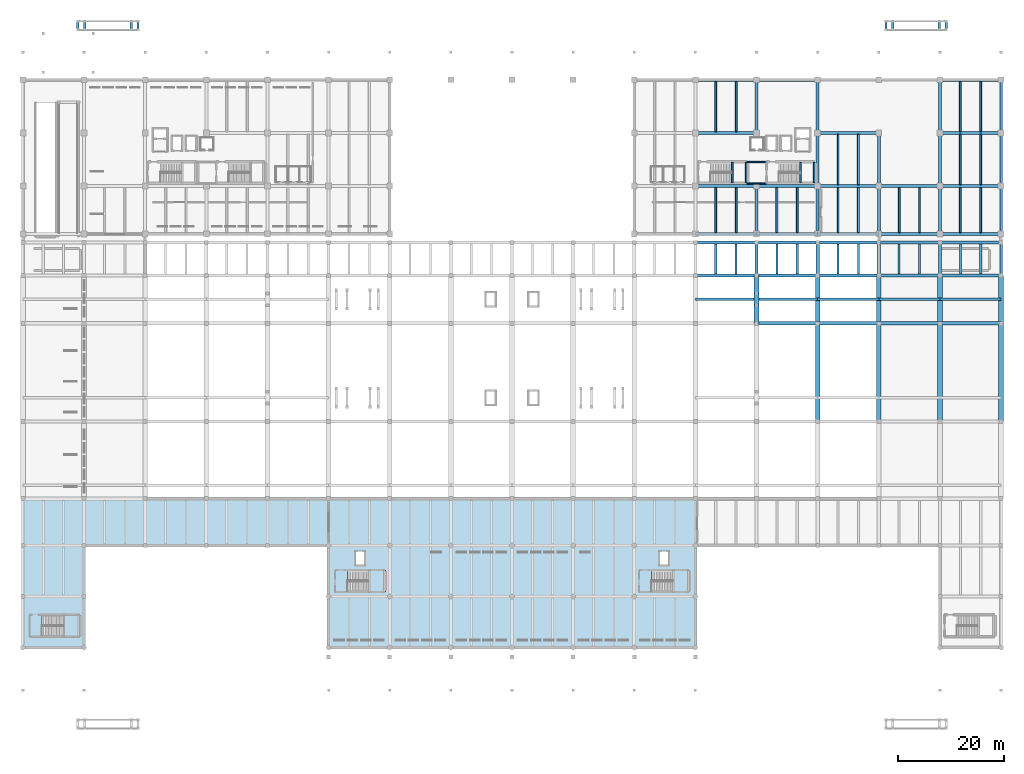
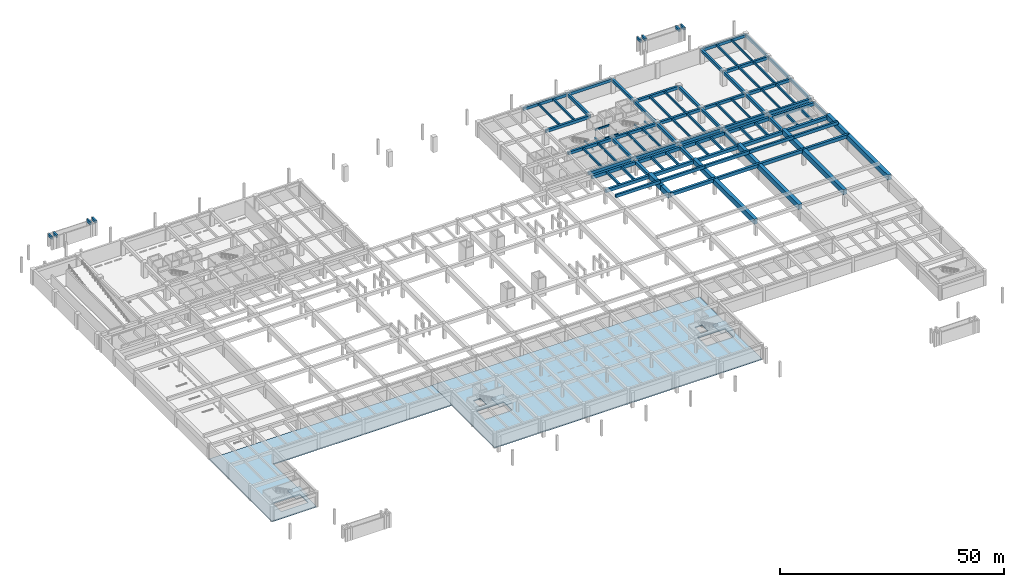
# One storey, part 7 of 20: 106 beams, 5 slabs, 3 elements without a shape of their own.
"""IFC4 building model written with IfcOpenShell, lengths in metres."""

from ifc_helpers import new_model, si_unit, direction, frame, origin, origin_2d, place, context, subcontext, project, spatial, polyline, rectangle, outline, extrude, material, layer, layer_set, material_profile, profile_set, type_object, element, aggregate, save


model = new_model("IFC4")

# Units and contexts
model_context = context("Model", 3, precision=1e-05, world=origin(), true_north=direction((0.0, 1.0)))
body_context = subcontext(model_context, "Body", "Model", "MODEL_VIEW")
ifc_project = project(units=[si_unit("LENGTHUNIT", "METRE"), si_unit("AREAUNIT", "SQUARE_METRE"), si_unit("VOLUMEUNIT", "CUBIC_METRE"), si_unit("PLANEANGLEUNIT", "RADIAN"), si_unit("MASSUNIT", "GRAM", prefix="KILO")], contexts=[model_context])

# Site, building, storey
site_placement = place(None, origin())
site = spatial("IfcSite", under=ifc_project, at=site_placement, CompositionType="ELEMENT")
building_placement = place(site_placement, origin())
building = spatial("IfcBuilding", under=site, at=building_placement, Name="Ologun Quay Terminus", CompositionType="ELEMENT")
storey_placement = place(building_placement, frame((0.0, 0.0, -4.199951171875)))
storey = spatial("IfcBuildingStorey", under=building, at=storey_placement, Name="B01", CompositionType="ELEMENT", Elevation=-4.199951171875)

# Beams
ifc_material_1 = material(Name="Concrete C40/50", Category="concrete")
ifc_material_profile_1 = material_profile(ifc_material_1, rectangle(XDim=0.300048828125, YDim=0.449951171875, at=origin_2d()), Name="RC 300x450")
ifc_profile_set_1 = profile_set([ifc_material_profile_1], Name="Concrete C40/50")
beam_type_1 = type_object("IfcBeamType", Name="Core Coupling Lintel Beam 300x450", PredefinedType="LINTEL", material=ifc_profile_set_1)
for number, where, z_axis, x_axis, name in (
    (1, (136.14990234375, 95.324951171875, 3.724853515625), (1.0, 0.0, 0.0), (0.0, 1.0, 0.0), "LN1 Beam 13/H B01"),
    (2, (136.14990234375, 99.375, 3.724853515625), (1.0, 0.0, 0.0), (0.0, 1.0, 0.0), "LN1 Beam 13/H B01"),
):
    element("IfcBeam", number, at=place(storey_placement, frame(where, z_axis=z_axis, x_axis=x_axis)), inside=storey, type_object=beam_type_1, Name=name, PredefinedType="LINTEL", context=body_context, shape_type="SweptSolid", body=[
        extrude(rectangle(XDim=0.300048828125, YDim=0.449951171875, at=origin_2d()), origin(), (0.0, 0.0, 1.0), 3.7001953125),
    ])
for number, where, z_axis, x_axis, name in (
    (3, (133.43994140625, 95.429931640625, 1.695068359375), (0.0, 1.0, 0.0), (-1.0, 0.0, 0.0), "LN1 Half-Landing Ledger Beam ST-E1-W B01"),
    (4, (136.010009765625, 95.429931640625, 1.695068359375), (0.0, 1.0, 0.0), (-1.0, 0.0, 0.0), "LN1 Half-Landing Ledger Beam ST-E1-E B01"),
    (5, (146.2900390625, 95.429931640625, 1.695068359375), (0.0, 1.0, 0.0), (-1.0, 0.0, 0.0), "LN1 Half-Landing Ledger Beam ST-E2-W B01"),
    (6, (148.81005859375, 95.429931640625, 1.695068359375), (0.0, 1.0, 0.0), (-1.0, 0.0, 0.0), "LN1 Half-Landing Ledger Beam ST-E2-E B01"),
):
    element("IfcBeam", number, at=place(storey_placement, frame(where, z_axis=z_axis, x_axis=x_axis)), inside=storey, type_object=beam_type_1, Name=name, PredefinedType="LINTEL", context=body_context, shape_type="SweptSolid", body=[
        extrude(rectangle(XDim=0.300048828125, YDim=0.449951171875, at=origin_2d()), origin(), (0.0, 0.0, 1.0), 3.840087890625),
    ])
ifc_material_2 = material(Name="Concrete C40/50", Category="concrete")
ifc_material_profile_2 = material_profile(ifc_material_2, rectangle(XDim=0.550048828125, YDim=0.800048828125, at=origin_2d()), Name="RC 550x800")
ifc_profile_set_2 = profile_set([ifc_material_profile_2], Name="Concrete C40/50")
beam_type_2 = type_object("IfcBeamType", Name="Courtyard Wing Primary Girder 550x800", PredefinedType="BEAM", material=ifc_profile_set_2)
for number, where, z_axis, x_axis, name in (
    (7, (126.5, 85.800048828125, 3.47998046875), (1.0, 0.0, 0.0), (0.0, 1.0, 0.0), "B4 Beam 12/G2 B01"),
    (8, (138.0, 85.800048828125, 3.47998046875), (1.0, 0.0, 0.0), (0.0, 1.0, 0.0), "B4 Beam 13/G2 B01"),
    (9, (149.5, 85.800048828125, 3.47998046875), (1.0, 0.0, 0.0), (0.0, 1.0, 0.0), "B4 Beam 14/G2 B01"),
    (10, (161.0, 85.800048828125, 3.47998046875), (1.0, 0.0, 0.0), (0.0, 1.0, 0.0), "B4 Beam 15/G2 B01"),
    (11, (172.5, 85.800048828125, 3.47998046875), (1.0, 0.0, 0.0), (0.0, 1.0, 0.0), "B4 Beam 16/G2 B01"),
    (12, (126.5, 94.800048828125, 3.47998046875), (1.0, 0.0, 0.0), (0.0, 1.0, 0.0), "B4 Beam 12/H B01"),
    (13, (138.0, 94.800048828125, 3.47998046875), (1.0, 0.0, 0.0), (0.0, 1.0, 0.0), "B4 Beam 13/H B01"),
    (14, (149.5, 94.800048828125, 3.47998046875), (1.0, 0.0, 0.0), (0.0, 1.0, 0.0), "B4 Beam 14/H B01"),
    (15, (161.0, 94.800048828125, 3.47998046875), (1.0, 0.0, 0.0), (0.0, 1.0, 0.0), "B4 Beam 15/H B01"),
    (16, (172.5, 94.800048828125, 3.47998046875), (1.0, 0.0, 0.0), (0.0, 1.0, 0.0), "B4 Beam 16/H B01"),
    (17, (126.5, 104.800048828125, 3.47998046875), (1.0, 0.0, 0.0), (0.0, 1.0, 0.0), "B4 Beam 12/J B01"),
    (18, (149.5, 104.800048828125, 3.47998046875), (1.0, 0.0, 0.0), (0.0, 1.0, 0.0), "B4 Beam 14/J B01"),
    (19, (172.5, 104.800048828125, 3.47998046875), (1.0, 0.0, 0.0), (0.0, 1.0, 0.0), "B4 Beam 16/J B01"),
    (20, (126.5, 114.800048828125, 3.47998046875), (1.0, 0.0, 0.0), (0.0, 1.0, 0.0), "B4 Beam 12/K B01"),
    (21, (138.0, 114.800048828125, 3.47998046875), (1.0, 0.0, 0.0), (0.0, 1.0, 0.0), "B4 Beam 13/K B01"),
    (22, (172.5, 114.800048828125, 3.47998046875), (1.0, 0.0, 0.0), (0.0, 1.0, 0.0), "B4 Beam 16/K B01"),
):
    element("IfcBeam", number, at=place(storey_placement, frame(where, z_axis=z_axis, x_axis=x_axis)), inside=storey, type_object=beam_type_2, Name=name, PredefinedType="BEAM", context=body_context, shape_type="SweptSolid", body=[
        extrude(rectangle(XDim=0.550048828125, YDim=0.800048828125, at=origin_2d()), origin(), (0.0, 0.0, 1.0), 11.5),
    ])
beam_1_placement = place(storey_placement, frame((138.0, 85.800048828125, 3.47998046875), z_axis=(0.0, 1.0, 0.0), x_axis=(-1.0, 0.0, 0.0)))
element("IfcBeam", 23, at=beam_1_placement, inside=storey, type_object=beam_type_2, Name="B4 Beam 13/G2 B01", PredefinedType="BEAM", context=body_context, shape_type="SweptSolid", body=[
    extrude(rectangle(XDim=0.550048828125, YDim=0.800048828125, at=origin_2d()), origin(), (0.0, 0.0, 1.0), 9.0),
])
beam_2_placement = place(storey_placement, frame((138.0, 104.800048828125, 3.47998046875), z_axis=(0.0, 1.0, 0.0), x_axis=(-1.0, 0.0, 0.0)))
element("IfcBeam", 24, at=beam_2_placement, inside=storey, type_object=beam_type_2, Name="B4 Beam 13/J B01", PredefinedType="BEAM", context=body_context, shape_type="SweptSolid", body=[
    extrude(rectangle(XDim=0.550048828125, YDim=0.800048828125, at=origin_2d()), origin(), (0.0, 0.0, 1.0), 10.0),
])
beam_3_placement = place(storey_placement, frame((149.5, 85.800048828125, 3.47998046875), z_axis=(0.0, 1.0, 0.0), x_axis=(-1.0, 0.0, 0.0)))
element("IfcBeam", 25, at=beam_3_placement, inside=storey, type_object=beam_type_2, Name="B4 Beam 14/G2 B01", PredefinedType="BEAM", context=body_context, shape_type="SweptSolid", body=[
    extrude(rectangle(XDim=0.550048828125, YDim=0.800048828125, at=origin_2d()), origin(), (0.0, 0.0, 1.0), 9.0),
])
for number, where, z_axis, x_axis, name in (
    (26, (149.5, 94.800048828125, 3.47998046875), (0.0, 1.0, 0.0), (-1.0, 0.0, 0.0), "B4 Beam 14/H B01"),
    (27, (149.5, 104.800048828125, 3.47998046875), (0.0, 1.0, 0.0), (-1.0, 0.0, 0.0), "B4 Beam 14/J B01"),
):
    element("IfcBeam", number, at=place(storey_placement, frame(where, z_axis=z_axis, x_axis=x_axis)), inside=storey, type_object=beam_type_2, Name=name, PredefinedType="BEAM", context=body_context, shape_type="SweptSolid", body=[
        extrude(rectangle(XDim=0.550048828125, YDim=0.800048828125, at=origin_2d()), origin(), (0.0, 0.0, 1.0), 10.0),
    ])
beam_4_placement = place(storey_placement, frame((161.0, 85.800048828125, 3.47998046875), z_axis=(0.0, 1.0, 0.0), x_axis=(-1.0, 0.0, 0.0)))
element("IfcBeam", 28, at=beam_4_placement, inside=storey, type_object=beam_type_2, Name="B4 Beam 15/G2 B01", PredefinedType="BEAM", context=body_context, shape_type="SweptSolid", body=[
    extrude(rectangle(XDim=0.550048828125, YDim=0.800048828125, at=origin_2d()), origin(), (0.0, 0.0, 1.0), 9.0),
])
beam_5_placement = place(storey_placement, frame((161.0, 94.800048828125, 3.47998046875), z_axis=(0.0, 1.0, 0.0), x_axis=(-1.0, 0.0, 0.0)))
element("IfcBeam", 29, at=beam_5_placement, inside=storey, type_object=beam_type_2, Name="B4 Beam 15/H B01", PredefinedType="BEAM", context=body_context, shape_type="SweptSolid", body=[
    extrude(rectangle(XDim=0.550048828125, YDim=0.800048828125, at=origin_2d()), origin(), (0.0, 0.0, 1.0), 10.0),
])
beam_6_placement = place(storey_placement, frame((172.5, 85.800048828125, 3.47998046875), z_axis=(0.0, 1.0, 0.0), x_axis=(-1.0, 0.0, 0.0)))
element("IfcBeam", 30, at=beam_6_placement, inside=storey, type_object=beam_type_2, Name="B4 Beam 16/G2 B01", PredefinedType="BEAM", context=body_context, shape_type="SweptSolid", body=[
    extrude(rectangle(XDim=0.550048828125, YDim=0.800048828125, at=origin_2d()), origin(), (0.0, 0.0, 1.0), 9.0),
])
for number, where, z_axis, x_axis, name in (
    (31, (172.5, 94.800048828125, 3.47998046875), (0.0, 1.0, 0.0), (-1.0, 0.0, 0.0), "B4 Beam 16/H B01"),
    (32, (172.5, 104.800048828125, 3.47998046875), (0.0, 1.0, 0.0), (-1.0, 0.0, 0.0), "B4 Beam 16/J B01"),
):
    element("IfcBeam", number, at=place(storey_placement, frame(where, z_axis=z_axis, x_axis=x_axis)), inside=storey, type_object=beam_type_2, Name=name, PredefinedType="BEAM", context=body_context, shape_type="SweptSolid", body=[
        extrude(rectangle(XDim=0.550048828125, YDim=0.800048828125, at=origin_2d()), origin(), (0.0, 0.0, 1.0), 10.0),
    ])
ifc_material_3 = material(Name="Concrete C40/50", Category="concrete")
ifc_material_profile_3 = material_profile(ifc_material_3, rectangle(XDim=0.35009765625, YDim=0.550048828125, at=origin_2d()), Name="RC 350x550")
ifc_profile_set_3 = profile_set([ifc_material_profile_3], Name="Concrete C40/50")
beam_type_3 = type_object("IfcBeamType", Name="Courtyard Wing Secondary Joist 350x550", PredefinedType="JOIST", material=ifc_profile_set_3)
for number, where, z_axis, x_axis, name in (
    (33, (130.333251953125, 86.074951171875, 3.60498046875), (0.0, 1.0, 0.0), (-1.0, 0.0, 0.0), "J2 Beam 12/G2 B01"),
    (34, (134.166748046875, 86.074951171875, 3.60498046875), (0.0, 1.0, 0.0), (-1.0, 0.0, 0.0), "J2 Beam 12/G2 B01"),
):
    element("IfcBeam", number, at=place(storey_placement, frame(where, z_axis=z_axis, x_axis=x_axis)), inside=storey, type_object=beam_type_3, Name=name, PredefinedType="JOIST", context=body_context, shape_type="SweptSolid", body=[
        extrude(rectangle(XDim=0.35009765625, YDim=0.550048828125, at=origin_2d()), origin(), (0.0, 0.0, 1.0), 8.449951171875),
    ])
for number, where, z_axis, x_axis, name in (
    (35, (130.333251953125, 105.074951171875, 3.60498046875), (0.0, 1.0, 0.0), (-1.0, 0.0, 0.0), "J2 Beam 12/J B01"),
    (36, (134.166748046875, 105.074951171875, 3.60498046875), (0.0, 1.0, 0.0), (-1.0, 0.0, 0.0), "J2 Beam 12/J B01"),
):
    element("IfcBeam", number, at=place(storey_placement, frame(where, z_axis=z_axis, x_axis=x_axis)), inside=storey, type_object=beam_type_3, Name=name, PredefinedType="JOIST", context=body_context, shape_type="SweptSolid", body=[
        extrude(rectangle(XDim=0.35009765625, YDim=0.550048828125, at=origin_2d()), origin(), (0.0, 0.0, 1.0), 9.449951171875),
    ])
for number, where, z_axis, x_axis, name in (
    (37, (141.833251953125, 86.074951171875, 3.60498046875), (0.0, 1.0, 0.0), (-1.0, 0.0, 0.0), "J2 Beam 13/G2 B01"),
    (38, (145.666748046875, 86.074951171875, 3.60498046875), (0.0, 1.0, 0.0), (-1.0, 0.0, 0.0), "J2 Beam 13/G2 B01"),
    (39, (153.333251953125, 86.074951171875, 3.60498046875), (0.0, 1.0, 0.0), (-1.0, 0.0, 0.0), "J2 Beam 14/G2 B01"),
    (40, (157.166748046875, 86.074951171875, 3.60498046875), (0.0, 1.0, 0.0), (-1.0, 0.0, 0.0), "J2 Beam 14/G2 B01"),
):
    element("IfcBeam", number, at=place(storey_placement, frame(where, z_axis=z_axis, x_axis=x_axis)), inside=storey, type_object=beam_type_3, Name=name, PredefinedType="JOIST", context=body_context, shape_type="SweptSolid", body=[
        extrude(rectangle(XDim=0.35009765625, YDim=0.550048828125, at=origin_2d()), origin(), (0.0, 0.0, 1.0), 8.449951171875),
    ])
for number, where, z_axis, x_axis, name in (
    (41, (153.333251953125, 95.074951171875, 3.60498046875), (0.0, 1.0, 0.0), (-1.0, 0.0, 0.0), "J2 Beam 14/H B01"),
    (42, (157.166748046875, 95.074951171875, 3.60498046875), (0.0, 1.0, 0.0), (-1.0, 0.0, 0.0), "J2 Beam 14/H B01"),
):
    element("IfcBeam", number, at=place(storey_placement, frame(where, z_axis=z_axis, x_axis=x_axis)), inside=storey, type_object=beam_type_3, Name=name, PredefinedType="JOIST", context=body_context, shape_type="SweptSolid", body=[
        extrude(rectangle(XDim=0.35009765625, YDim=0.550048828125, at=origin_2d()), origin(), (0.0, 0.0, 1.0), 9.449951171875),
    ])
for number, where, z_axis, x_axis, name in (
    (43, (164.833251953125, 86.074951171875, 3.60498046875), (0.0, 1.0, 0.0), (-1.0, 0.0, 0.0), "J2 Beam 15/G2 B01"),
    (44, (168.666748046875, 86.074951171875, 3.60498046875), (0.0, 1.0, 0.0), (-1.0, 0.0, 0.0), "J2 Beam 15/G2 B01"),
    (45, (176.333251953125, 86.074951171875, 3.60498046875), (0.0, 1.0, 0.0), (-1.0, 0.0, 0.0), "J2 Beam 16/G2 B01"),
    (46, (180.166748046875, 86.074951171875, 3.60498046875), (0.0, 1.0, 0.0), (-1.0, 0.0, 0.0), "J2 Beam 16/G2 B01"),
):
    element("IfcBeam", number, at=place(storey_placement, frame(where, z_axis=z_axis, x_axis=x_axis)), inside=storey, type_object=beam_type_3, Name=name, PredefinedType="JOIST", context=body_context, shape_type="SweptSolid", body=[
        extrude(rectangle(XDim=0.35009765625, YDim=0.550048828125, at=origin_2d()), origin(), (0.0, 0.0, 1.0), 8.449951171875),
    ])
for number, where, z_axis, x_axis, name in (
    (47, (176.333251953125, 95.074951171875, 3.60498046875), (0.0, 1.0, 0.0), (-1.0, 0.0, 0.0), "J2 Beam 16/H B01"),
    (48, (180.166748046875, 95.074951171875, 3.60498046875), (0.0, 1.0, 0.0), (-1.0, 0.0, 0.0), "J2 Beam 16/H B01"),
    (49, (176.333251953125, 105.074951171875, 3.60498046875), (0.0, 1.0, 0.0), (-1.0, 0.0, 0.0), "J2 Beam 16/J B01"),
    (50, (180.166748046875, 105.074951171875, 3.60498046875), (0.0, 1.0, 0.0), (-1.0, 0.0, 0.0), "J2 Beam 16/J B01"),
):
    element("IfcBeam", number, at=place(storey_placement, frame(where, z_axis=z_axis, x_axis=x_axis)), inside=storey, type_object=beam_type_3, Name=name, PredefinedType="JOIST", context=body_context, shape_type="SweptSolid", body=[
        extrude(rectangle(XDim=0.35009765625, YDim=0.550048828125, at=origin_2d()), origin(), (0.0, 0.0, 1.0), 9.449951171875),
    ])
ifc_material_4 = material(Name="Concrete C45/55", Category="concrete")
ifc_material_profile_4 = material_profile(ifc_material_4, rectangle(XDim=0.89990234375, YDim=1.39990234375, at=origin_2d()), Name="RC 900x1400")
ifc_profile_set_4 = profile_set([ifc_material_profile_4], Name="Concrete C45/55")
beam_type_4 = type_object("IfcBeamType", Name="Heavy Track Deck Girder 900x1400", PredefinedType="BEAM", material=ifc_profile_set_4)
beam_7_placement = place(storey_placement, frame((138.0, 69.0, 3.64990234375), z_axis=(0.0, 1.0, 0.0), x_axis=(-1.0, 0.0, 0.0)))
element("IfcBeam", 51, at=beam_7_placement, inside=storey, type_object=beam_type_4, Name="B1 Beam 13/E B01", PredefinedType="BEAM", context=body_context, shape_type="SweptSolid", body=[
    extrude(rectangle(XDim=0.89990234375, YDim=1.39990234375, at=origin_2d()), origin(), (0.0, 0.0, 1.0), 3.39990234375),
])
beam_8_placement = place(storey_placement, frame((138.0, 72.39990234375, 3.64990234375), z_axis=(0.0, 1.0, 0.0), x_axis=(-1.0, 0.0, 0.0)))
element("IfcBeam", 52, at=beam_8_placement, inside=storey, type_object=beam_type_4, Name="B1 Beam 13/E B01", PredefinedType="BEAM", context=body_context, shape_type="SweptSolid", body=[
    extrude(rectangle(XDim=0.89990234375, YDim=1.39990234375, at=origin_2d()), origin(), (0.0, 0.0, 1.0), 2.2001953125),
])
beam_9_placement = place(storey_placement, frame((138.0, 74.60009765625, 3.64990234375), z_axis=(0.0, 1.0, 0.0), x_axis=(-1.0, 0.0, 0.0)))
element("IfcBeam", 53, at=beam_9_placement, inside=storey, type_object=beam_type_4, Name="B1 Beam 13/E B01", PredefinedType="BEAM", context=body_context, shape_type="SweptSolid", body=[
    extrude(rectangle(XDim=0.89990234375, YDim=1.39990234375, at=origin_2d()), origin(), (0.0, 0.0, 1.0), 3.39990234375),
])
beam_10_placement = place(storey_placement, frame((149.5, 50.5, 3.64990234375), z_axis=(0.0, 1.0, 0.0), x_axis=(-1.0, 0.0, 0.0)))
element("IfcBeam", 54, at=beam_10_placement, inside=storey, type_object=beam_type_4, Name="B1 Beam 14/E B01", PredefinedType="BEAM", context=body_context, shape_type="SweptSolid", body=[
    extrude(rectangle(XDim=0.89990234375, YDim=1.39990234375, at=origin_2d()), origin(), (0.0, 0.0, 1.0), 18.5),
])
beam_11_placement = place(storey_placement, frame((149.5, 69.0, 3.64990234375), z_axis=(0.0, 1.0, 0.0), x_axis=(-1.0, 0.0, 0.0)))
element("IfcBeam", 55, at=beam_11_placement, inside=storey, type_object=beam_type_4, Name="B1 Beam 14/E B01", PredefinedType="BEAM", context=body_context, shape_type="SweptSolid", body=[
    extrude(rectangle(XDim=0.89990234375, YDim=1.39990234375, at=origin_2d()), origin(), (0.0, 0.0, 1.0), 9.0),
])
beam_12_placement = place(storey_placement, frame((161.0, 50.5, 3.64990234375), z_axis=(0.0, 1.0, 0.0), x_axis=(-1.0, 0.0, 0.0)))
element("IfcBeam", 56, at=beam_12_placement, inside=storey, type_object=beam_type_4, Name="B1 Beam 15/E B01", PredefinedType="BEAM", context=body_context, shape_type="SweptSolid", body=[
    extrude(rectangle(XDim=0.89990234375, YDim=1.39990234375, at=origin_2d()), origin(), (0.0, 0.0, 1.0), 18.5),
])
beam_13_placement = place(storey_placement, frame((161.0, 69.0, 3.64990234375), z_axis=(0.0, 1.0, 0.0), x_axis=(-1.0, 0.0, 0.0)))
element("IfcBeam", 57, at=beam_13_placement, inside=storey, type_object=beam_type_4, Name="B1 Beam 15/E B01", PredefinedType="BEAM", context=body_context, shape_type="SweptSolid", body=[
    extrude(rectangle(XDim=0.89990234375, YDim=1.39990234375, at=origin_2d()), origin(), (0.0, 0.0, 1.0), 9.0),
])
beam_14_placement = place(storey_placement, frame((172.5, 50.5, 3.64990234375), z_axis=(0.0, 1.0, 0.0), x_axis=(-1.0, 0.0, 0.0)))
element("IfcBeam", 58, at=beam_14_placement, inside=storey, type_object=beam_type_4, Name="B1 Beam 16/E B01", PredefinedType="BEAM", context=body_context, shape_type="SweptSolid", body=[
    extrude(rectangle(XDim=0.89990234375, YDim=1.39990234375, at=origin_2d()), origin(), (0.0, 0.0, 1.0), 18.5),
])
beam_15_placement = place(storey_placement, frame((172.5, 69.0, 3.64990234375), z_axis=(0.0, 1.0, 0.0), x_axis=(-1.0, 0.0, 0.0)))
element("IfcBeam", 59, at=beam_15_placement, inside=storey, type_object=beam_type_4, Name="B1 Beam 16/E B01", PredefinedType="BEAM", context=body_context, shape_type="SweptSolid", body=[
    extrude(rectangle(XDim=0.89990234375, YDim=1.39990234375, at=origin_2d()), origin(), (0.0, 0.0, 1.0), 9.0),
])
beam_16_placement = place(storey_placement, frame((184.0, 50.5, 3.64990234375), z_axis=(0.0, 1.0, 0.0), x_axis=(-1.0, 0.0, 0.0)))
element("IfcBeam", 60, at=beam_16_placement, inside=storey, type_object=beam_type_4, Name="B1 Beam 17/E B01", PredefinedType="BEAM", context=body_context, shape_type="SweptSolid", body=[
    extrude(rectangle(XDim=0.89990234375, YDim=1.39990234375, at=origin_2d()), origin(), (0.0, 0.0, 1.0), 18.5),
])
beam_17_placement = place(storey_placement, frame((184.0, 69.0, 3.64990234375), z_axis=(0.0, 1.0, 0.0), x_axis=(-1.0, 0.0, 0.0)))
element("IfcBeam", 61, at=beam_17_placement, inside=storey, type_object=beam_type_4, Name="B1 Beam 17/E B01", PredefinedType="BEAM", context=body_context, shape_type="SweptSolid", body=[
    extrude(rectangle(XDim=0.89990234375, YDim=1.39990234375, at=origin_2d()), origin(), (0.0, 0.0, 1.0), 9.0),
])
ifc_material_5 = material(Name="Concrete C40/50", Category="concrete")
ifc_material_profile_5 = material_profile(ifc_material_5, rectangle(XDim=0.449951171875, YDim=0.699951171875, at=origin_2d()), Name="RC 450x700")
ifc_profile_set_5 = profile_set([ifc_material_profile_5], Name="Concrete C40/50")
beam_type_5 = type_object("IfcBeamType", Name="Perimeter Spandrel Beam 450x700", PredefinedType="SPANDREL", material=ifc_profile_set_5)
for number, where, z_axis, x_axis, name in (
    (62, (10.35009765625, 124.199951171875, 3.1298828125), (0.0, 1.0, 0.0), (-1.0, 0.0, 0.0), "SP1 Ramp Header Beam 1W"),
    (63, (11.64990234375, 124.199951171875, 3.1298828125), (0.0, 1.0, 0.0), (-1.0, 0.0, 0.0), "SP1 Ramp Header Beam 1E"),
    (64, (20.35009765625, 124.199951171875, 3.6298828125), (0.0, 1.0, 0.0), (-1.0, 0.0, 0.0), "SP1 Ramp Header Beam 2W"),
    (65, (21.64990234375, 124.199951171875, 3.6298828125), (0.0, 1.0, 0.0), (-1.0, 0.0, 0.0), "SP1 Ramp Header Beam 2E"),
    (66, (162.35009765625, 124.199951171875, 3.6298828125), (0.0, 1.0, 0.0), (-1.0, 0.0, 0.0), "SP1 Ramp Header Beam 3W"),
    (67, (163.64990234375, 124.199951171875, 3.6298828125), (0.0, 1.0, 0.0), (-1.0, 0.0, 0.0), "SP1 Ramp Header Beam 3E"),
    (68, (172.35009765625, 124.199951171875, 3.1298828125), (0.0, 1.0, 0.0), (-1.0, 0.0, 0.0), "SP1 Ramp Header Beam 4W"),
    (69, (173.64990234375, 124.199951171875, 3.1298828125), (0.0, 1.0, 0.0), (-1.0, 0.0, 0.0), "SP1 Ramp Header Beam 4E"),
):
    element("IfcBeam", number, at=place(storey_placement, frame(where, z_axis=z_axis, x_axis=x_axis)), inside=storey, type_object=beam_type_5, Name=name, PredefinedType="SPANDREL", context=body_context, shape_type="SweptSolid", body=[
        extrude(rectangle(XDim=0.449951171875, YDim=0.699951171875, at=origin_2d()), origin(), (0.0, 0.0, 1.0), 1.60009765625),
    ])
beam_18_placement = place(storey_placement, frame((184.0, 78.0, 3.530029296875), z_axis=(0.0, 1.0, 0.0), x_axis=(-1.0, 0.0, 0.0)))
element("IfcBeam", 70, at=beam_18_placement, inside=storey, type_object=beam_type_5, Name="SP1 Beam 17/F B01", PredefinedType="SPANDREL", context=body_context, shape_type="SweptSolid", body=[
    extrude(rectangle(XDim=0.449951171875, YDim=0.699951171875, at=origin_2d()), origin(), (0.0, 0.0, 1.0), 6.199951171875),
])
beam_19_placement = place(storey_placement, frame((184.0, 85.800048828125, 3.530029296875), z_axis=(0.0, 1.0, 0.0), x_axis=(-1.0, 0.0, 0.0)))
element("IfcBeam", 71, at=beam_19_placement, inside=storey, type_object=beam_type_5, Name="SP1 Beam 17/G2 B01", PredefinedType="SPANDREL", context=body_context, shape_type="SweptSolid", body=[
    extrude(rectangle(XDim=0.449951171875, YDim=0.699951171875, at=origin_2d()), origin(), (0.0, 0.0, 1.0), 9.0),
])
for number, where, z_axis, x_axis, name in (
    (72, (184.0, 94.800048828125, 3.530029296875), (0.0, 1.0, 0.0), (-1.0, 0.0, 0.0), "SP1 Beam 17/H B01"),
    (73, (184.0, 104.800048828125, 3.530029296875), (0.0, 1.0, 0.0), (-1.0, 0.0, 0.0), "SP1 Beam 17/J B01"),
):
    element("IfcBeam", number, at=place(storey_placement, frame(where, z_axis=z_axis, x_axis=x_axis)), inside=storey, type_object=beam_type_5, Name=name, PredefinedType="SPANDREL", context=body_context, shape_type="SweptSolid", body=[
        extrude(rectangle(XDim=0.449951171875, YDim=0.699951171875, at=origin_2d()), origin(), (0.0, 0.0, 1.0), 10.0),
    ])
ifc_material_6 = material(Name="Concrete C40/50", Category="concrete")
ifc_material_profile_6 = material_profile(ifc_material_6, rectangle(XDim=0.5, YDim=0.85009765625, at=origin_2d()), Name="RC 500x850")
ifc_profile_set_6 = profile_set([ifc_material_profile_6], Name="Concrete C40/50")
beam_type_6 = type_object("IfcBeamType", Name="Platform Ribbed T-Beam 500x850", PredefinedType="T_BEAM", material=ifc_profile_set_6)
for number, where, z_axis, x_axis, name in (
    (74, (126.5, 73.5, 4.724853515625), (1.0, 0.0, 0.0), (0.0, 1.0, 0.0), "TB1 Beam 12/E B01"),
    (75, (138.0, 73.5, 4.724853515625), (1.0, 0.0, 0.0), (0.0, 1.0, 0.0), "TB1 Beam 13/E B01"),
    (76, (149.5, 73.5, 4.724853515625), (1.0, 0.0, 0.0), (0.0, 1.0, 0.0), "TB1 Beam 14/E B01"),
    (77, (161.0, 73.5, 4.724853515625), (1.0, 0.0, 0.0), (0.0, 1.0, 0.0), "TB1 Beam 15/E B01"),
    (78, (172.5, 73.5, 4.724853515625), (1.0, 0.0, 0.0), (0.0, 1.0, 0.0), "TB1 Beam 16/E B01"),
):
    element("IfcBeam", number, at=place(storey_placement, frame(where, z_axis=z_axis, x_axis=x_axis)), inside=storey, type_object=beam_type_6, Name=name, PredefinedType="T_BEAM", context=body_context, shape_type="SweptSolid", body=[
        extrude(rectangle(XDim=0.5, YDim=0.85009765625, at=origin_2d()), origin(), (0.0, 0.0, 1.0), 11.5),
    ])
ifc_material_7 = material(Name="Concrete C40/50", Category="concrete")
ifc_material_profile_7 = material_profile(ifc_material_7, rectangle(XDim=0.60009765625, YDim=0.89990234375, at=origin_2d()), Name="RC 600x900")
ifc_profile_set_7 = profile_set([ifc_material_profile_7], Name="Concrete C40/50")
beam_type_7 = type_object("IfcBeamType", Name="Station Frame Girder 600x900", PredefinedType="BEAM", material=ifc_profile_set_7)
for number, where, z_axis, x_axis, name in (
    (79, (126.5, 78.0, 3.429931640625), (1.0, 0.0, 0.0), (0.0, 1.0, 0.0), "B3 Beam 12/F B01"),
    (80, (138.0, 78.0, 3.429931640625), (1.0, 0.0, 0.0), (0.0, 1.0, 0.0), "B3 Beam 13/F B01"),
    (81, (149.5, 78.0, 3.429931640625), (1.0, 0.0, 0.0), (0.0, 1.0, 0.0), "B3 Beam 14/F B01"),
    (82, (161.0, 78.0, 3.429931640625), (1.0, 0.0, 0.0), (0.0, 1.0, 0.0), "B3 Beam 15/F B01"),
    (83, (172.5, 78.0, 3.429931640625), (1.0, 0.0, 0.0), (0.0, 1.0, 0.0), "B3 Beam 16/F B01"),
    (84, (126.5, 84.199951171875, 3.429931640625), (1.0, 0.0, 0.0), (0.0, 1.0, 0.0), "B3 Beam 12/G1 B01"),
    (85, (138.0, 84.199951171875, 3.429931640625), (1.0, 0.0, 0.0), (0.0, 1.0, 0.0), "B3 Beam 13/G1 B01"),
    (86, (149.5, 84.199951171875, 3.429931640625), (1.0, 0.0, 0.0), (0.0, 1.0, 0.0), "B3 Beam 14/G1 B01"),
    (87, (161.0, 84.199951171875, 3.429931640625), (1.0, 0.0, 0.0), (0.0, 1.0, 0.0), "B3 Beam 15/G1 B01"),
    (88, (172.5, 84.199951171875, 3.429931640625), (1.0, 0.0, 0.0), (0.0, 1.0, 0.0), "B3 Beam 16/G1 B01"),
    (89, (138.0, 69.0, 3.89990234375), (1.0, 0.0, 0.0), (0.0, 1.0, 0.0), "B3 Beam 13/E B01"),
    (90, (149.5, 69.0, 3.89990234375), (1.0, 0.0, 0.0), (0.0, 1.0, 0.0), "B3 Beam 14/E B01"),
    (91, (161.0, 69.0, 3.89990234375), (1.0, 0.0, 0.0), (0.0, 1.0, 0.0), "B3 Beam 15/E B01"),
    (92, (172.5, 69.0, 3.89990234375), (1.0, 0.0, 0.0), (0.0, 1.0, 0.0), "B3 Beam 16/E B01"),
):
    element("IfcBeam", number, at=place(storey_placement, frame(where, z_axis=z_axis, x_axis=x_axis)), inside=storey, type_object=beam_type_7, Name=name, PredefinedType="BEAM", context=body_context, shape_type="SweptSolid", body=[
        extrude(rectangle(XDim=0.60009765625, YDim=0.89990234375, at=origin_2d()), origin(), (0.0, 0.0, 1.0), 11.5),
    ])
for number, where, z_axis, x_axis, name in (
    (93, (138.0, 78.0, 3.429931640625), (0.0, 1.0, 0.0), (-1.0, 0.0, 0.0), "B3 Beam 13/F B01"),
    (94, (149.5, 78.0, 3.429931640625), (0.0, 1.0, 0.0), (-1.0, 0.0, 0.0), "B3 Beam 14/F B01"),
    (95, (161.0, 78.0, 3.429931640625), (0.0, 1.0, 0.0), (-1.0, 0.0, 0.0), "B3 Beam 15/F B01"),
    (96, (172.5, 78.0, 3.429931640625), (0.0, 1.0, 0.0), (-1.0, 0.0, 0.0), "B3 Beam 16/F B01"),
):
    element("IfcBeam", number, at=place(storey_placement, frame(where, z_axis=z_axis, x_axis=x_axis)), inside=storey, type_object=beam_type_7, Name=name, PredefinedType="BEAM", context=body_context, shape_type="SweptSolid", body=[
        extrude(rectangle(XDim=0.60009765625, YDim=0.89990234375, at=origin_2d()), origin(), (0.0, 0.0, 1.0), 6.199951171875),
    ])
ifc_material_8 = material(Name="Concrete C40/50", Category="concrete")
ifc_material_profile_8 = material_profile(ifc_material_8, rectangle(XDim=0.39990234375, YDim=0.64990234375, at=origin_2d()), Name="RC 400x650")
ifc_profile_set_8 = profile_set([ifc_material_profile_8], Name="Concrete C40/50")
beam_type_8 = type_object("IfcBeamType", Name="Station Secondary Joist 400x650", PredefinedType="JOIST", material=ifc_profile_set_8)
for number, where, z_axis, x_axis, name in (
    (97, (130.333251953125, 78.300048828125, 3.554931640625), (0.0, 1.0, 0.0), (-1.0, 0.0, 0.0), "J1 Beam 12/F B01"),
    (98, (134.166748046875, 78.300048828125, 3.554931640625), (0.0, 1.0, 0.0), (-1.0, 0.0, 0.0), "J1 Beam 12/F B01"),
    (99, (141.833251953125, 78.300048828125, 3.554931640625), (0.0, 1.0, 0.0), (-1.0, 0.0, 0.0), "J1 Beam 13/F B01"),
    (100, (145.666748046875, 78.300048828125, 3.554931640625), (0.0, 1.0, 0.0), (-1.0, 0.0, 0.0), "J1 Beam 13/F B01"),
    (101, (153.333251953125, 78.300048828125, 3.554931640625), (0.0, 1.0, 0.0), (-1.0, 0.0, 0.0), "J1 Beam 14/F B01"),
    (102, (157.166748046875, 78.300048828125, 3.554931640625), (0.0, 1.0, 0.0), (-1.0, 0.0, 0.0), "J1 Beam 14/F B01"),
    (103, (164.833251953125, 78.300048828125, 3.554931640625), (0.0, 1.0, 0.0), (-1.0, 0.0, 0.0), "J1 Beam 15/F B01"),
    (104, (168.666748046875, 78.300048828125, 3.554931640625), (0.0, 1.0, 0.0), (-1.0, 0.0, 0.0), "J1 Beam 15/F B01"),
    (105, (176.333251953125, 78.300048828125, 3.554931640625), (0.0, 1.0, 0.0), (-1.0, 0.0, 0.0), "J1 Beam 16/F B01"),
    (106, (180.166748046875, 78.300048828125, 3.554931640625), (0.0, 1.0, 0.0), (-1.0, 0.0, 0.0), "J1 Beam 16/F B01"),
):
    element("IfcBeam", number, at=place(storey_placement, frame(where, z_axis=z_axis, x_axis=x_axis)), inside=storey, type_object=beam_type_8, Name=name, PredefinedType="JOIST", context=body_context, shape_type="SweptSolid", body=[
        extrude(rectangle(XDim=0.39990234375, YDim=0.64990234375, at=origin_2d()), origin(), (0.0, 0.0, 1.0), 5.599853515625),
    ])

# Stair, slab
ifc_material_9 = material(Name="Concrete C40/50", Category="concrete")
stair_type = type_object("IfcStairType", Name="Station Concourse Escape Stair 1800", PredefinedType="HALF_TURN_STAIR", material=ifc_material_9)
stair_1_placement = place(storey_placement, origin())
stair_1 = element("IfcStair", 107, at=stair_1_placement, inside=storey, type_object=stair_type, Name="ST-S1 Stair B01", PredefinedType="HALF_TURN_STAIR")
ifc_material_10 = material(Name="Precast Concrete C40/50", Category="concrete")
ifc_layer_1 = layer(ifc_material_10, 0.179931640625)
ifc_layer_set_1 = layer_set([ifc_layer_1], Name="Precast Concrete C40/50")
slab_type_1 = type_object("IfcSlabType", Name="Precast Stair Half-Landing Slab 180", PredefinedType="LANDING", material=ifc_layer_set_1)
slab_1_placement = place(storey_placement, frame((0.0, 0.0, 1.919921875)))
slab_1 = element("IfcSlab", 108, at=slab_1_placement, type_object=slab_type_1, Name="ST-S1 Half-Landing B01", PredefinedType="LANDING", context=body_context, shape_type="SweptSolid", body=[
    extrude(outline(polyline([(7.469970703125, 10.1201171875), (10.72998046875, 10.1201171875), (10.72998046875, 14.080078125), (7.469970703125, 14.080078125), (7.469970703125, 10.1201171875)])), origin(), (0.0, 0.0, 1.0), 0.179931640625),
])
aggregate(stair_1, [slab_1])

stair_2_placement = place(storey_placement, origin())
stair_2 = element("IfcStair", 109, at=stair_2_placement, inside=storey, type_object=stair_type, Name="ST-S3 Stair B01", PredefinedType="HALF_TURN_STAIR")
slab_2_placement = place(storey_placement, frame((0.0, 0.0, 1.919921875)))
slab_2 = element("IfcSlab", 110, at=slab_2_placement, type_object=slab_type_1, Name="ST-S3 Half-Landing B01", PredefinedType="LANDING", context=body_context, shape_type="SweptSolid", body=[
    extrude(outline(polyline([(64.919921875, 18.52001953125), (68.179931640625, 18.52001953125), (68.179931640625, 22.47998046875), (64.919921875, 22.47998046875), (64.919921875, 18.52001953125)])), origin(), (0.0, 0.0, 1.0), 0.179931640625),
])
aggregate(stair_2, [slab_2])

stair_3_placement = place(storey_placement, origin())
stair_3 = element("IfcStair", 111, at=stair_3_placement, inside=storey, type_object=stair_type, Name="ST-S4 Stair B01", PredefinedType="HALF_TURN_STAIR")
slab_3_placement = place(storey_placement, frame((0.0, 0.0, 1.919921875)))
slab_3 = element("IfcSlab", 112, at=slab_3_placement, type_object=slab_type_1, Name="ST-S4 Half-Landing B01", PredefinedType="LANDING", context=body_context, shape_type="SweptSolid", body=[
    extrude(outline(polyline([(122.1201171875, 18.52001953125), (125.3798828125, 18.52001953125), (125.3798828125, 22.47998046875), (122.1201171875, 22.47998046875), (122.1201171875, 18.52001953125)])), origin(), (0.0, 0.0, 1.0), 0.179931640625),
])
aggregate(stair_3, [slab_3])

# Slabs
ifc_material_11 = material(Name="Concrete C40/50", Category="concrete")
ifc_layer_2 = layer(ifc_material_11, 0.280029296875)
ifc_layer_set_2 = layer_set([ifc_layer_2], Name="Concrete C40/50")
slab_type_2 = type_object("IfcSlabType", Name="Upper Basement Car Park Slab 280", PredefinedType="FLOOR", material=ifc_layer_set_2)
slab_4_placement = place(storey_placement, frame((0.0, 0.0, -0.280029296875)))
element("IfcSlab", 113, at=slab_4_placement, inside=storey, type_object=slab_type_2, Name="SL-B01 Basement Slab STHW", PredefinedType="FLOOR", context=body_context, shape_type="SweptSolid", body=[
    extrude(outline(polyline([(0.0, 8.0), (11.5, 8.0), (11.5, 27.199951171875), (57.5, 27.199951171875), (57.5, 36.0), (0.0, 36.0), (0.0, 8.0)]), holes=[polyline([(3.6298828125, 10.199951171875), (3.6298828125, 14.0), (10.64990234375, 14.0), (10.64990234375, 10.199951171875), (3.6298828125, 10.199951171875)])]), origin(), (0.0, 0.0, 1.0), 0.280029296875),
])
slab_5_placement = place(storey_placement, frame((0.0, 0.0, -0.280029296875)))
element("IfcSlab", 114, at=slab_5_placement, inside=storey, type_object=slab_type_2, Name="SL-B01 Basement Slab STHC", PredefinedType="FLOOR", context=body_context, shape_type="SweptSolid", body=[
    extrude(outline(polyline([(57.5, 8.0), (126.5, 8.0), (126.5, 36.0), (57.5, 36.0), (57.5, 8.0)]), holes=[polyline([(62.449951171875, 23.449951171875), (62.449951171875, 26.14990234375), (64.35009765625, 26.14990234375), (64.35009765625, 23.449951171875), (62.449951171875, 23.449951171875)]), polyline([(119.64990234375, 23.449951171875), (119.64990234375, 26.14990234375), (121.550048828125, 26.14990234375), (121.550048828125, 23.449951171875), (119.64990234375, 23.449951171875)]), polyline([(61.080078125, 18.60009765625), (61.080078125, 22.39990234375), (68.10009765625, 22.39990234375), (68.10009765625, 18.60009765625), (61.080078125, 18.60009765625)]), polyline([(118.280029296875, 18.60009765625), (118.280029296875, 22.39990234375), (125.300048828125, 22.39990234375), (125.300048828125, 18.60009765625), (118.280029296875, 18.60009765625)])]), origin(), (0.0, 0.0, 1.0), 0.280029296875),
])

save(model, "model.ifc")
